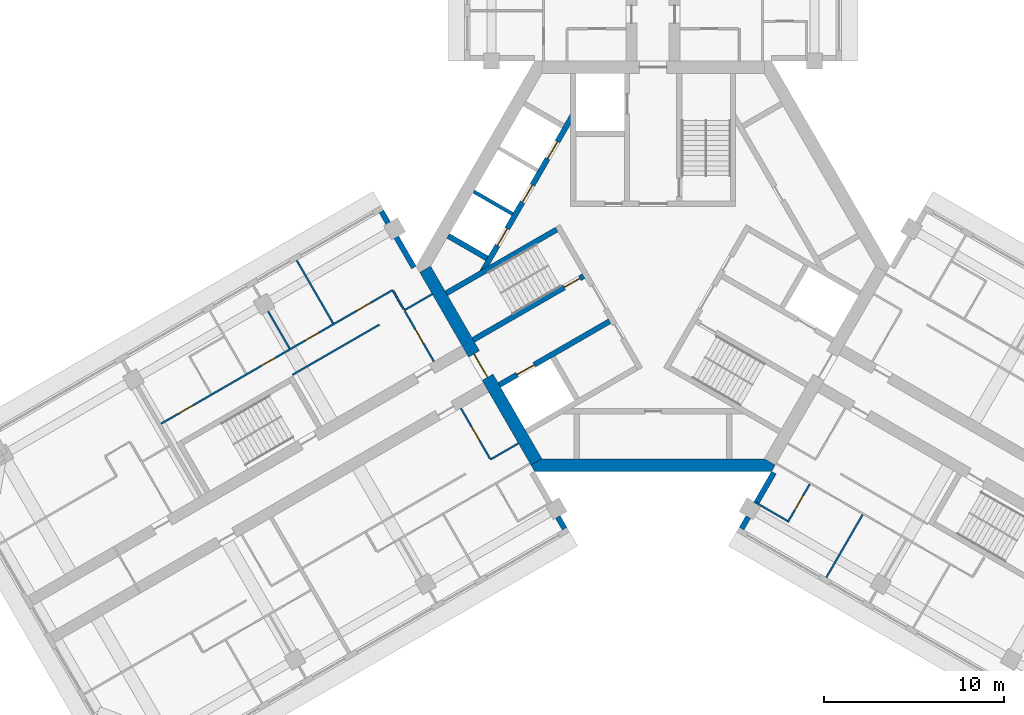
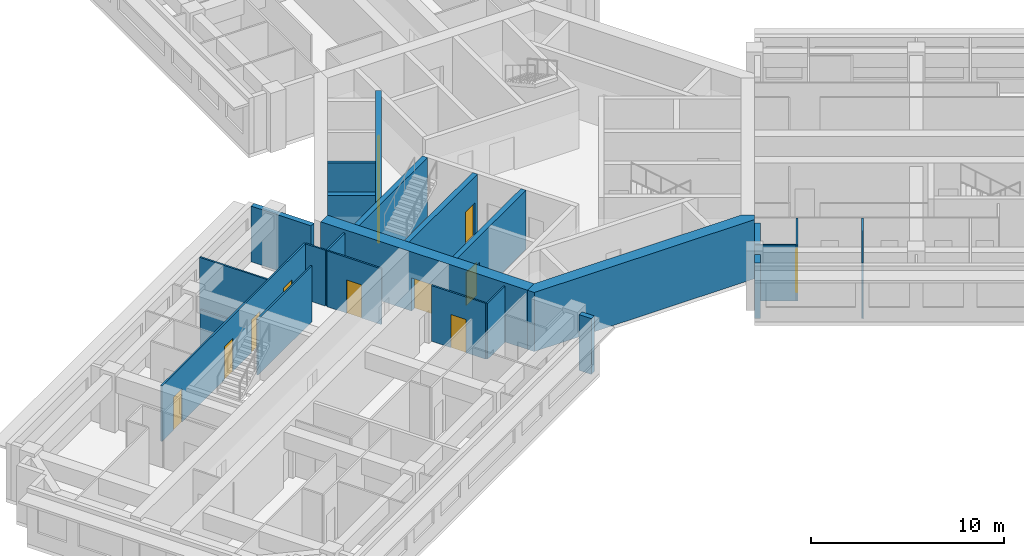
# One storey, part 4 of 11: 24 walls, 13 doors, 13 openings.
"""IFC4 building model written with IfcOpenShell, lengths in metres."""

from ifc_helpers import new_model, si_unit, direction, frame, frame_2d, origin, place, context, subcontext, project, spatial, polyline, rectangle, outline, extrude, material, layer, layer_set, type_object, element, fill, save


model = new_model("IFC4")

# Units and contexts
model_context = context("Model", 3, precision=1e-05, world=origin(), true_north=direction((0.0, 1.0)))
body_context = subcontext(model_context, "Body", "Model", "MODEL_VIEW")
ifc_project = project(units=[si_unit("LENGTHUNIT", "METRE"), si_unit("AREAUNIT", "SQUARE_METRE"), si_unit("VOLUMEUNIT", "CUBIC_METRE"), si_unit("PLANEANGLEUNIT", "RADIAN"), si_unit("MASSUNIT", "GRAM", prefix="KILO")], contexts=[model_context])

# Site, building, storey
site_placement = place(None, origin())
site = spatial("IfcSite", under=ifc_project, at=site_placement, CompositionType="ELEMENT")
building_placement = place(site_placement, origin())
building = spatial("IfcBuilding", under=site, at=building_placement, Name="Impinga Residences", CompositionType="ELEMENT")
storey_placement = place(building_placement, frame((0.0, 0.0, 203.5)))
storey = spatial("IfcBuildingStorey", under=building, at=storey_placement, Name="L50", CompositionType="ELEMENT", Elevation=203.5)

# Walls
ifc_material_1 = material(Name="Terracotta rainscreen on blockwork", Category="masonry")
ifc_layer_1 = layer(ifc_material_1, 0.300048828125)
ifc_layer_set_1 = layer_set([ifc_layer_1], Name="EW1 external wall, terracotta rainscreen on blockwork 300")
wall_type_1 = type_object("IfcWallType", Name="EW1 external wall, terracotta rainscreen on blockwork 300", PredefinedType="SOLIDWALL", material=ifc_layer_set_1)
wall_1_placement = place(storey_placement, frame((-15.1298828125, 3.042724609375, 0.0), z_axis=(0.0, 0.0, 1.0), x_axis=(0.500012057535, -0.866018442252, 0.0)))
element("IfcWall", 1, at=wall_1_placement, inside=storey, type_object=wall_type_1, Name="External wall EW1 L50", PredefinedType="SOLIDWALL", context=body_context, shape_type="SweptSolid", body=[
    extrude(rectangle(XDim=3.60009765625, YDim=0.300048828125, at=frame_2d((1.800048828125, 0.0))), origin(), (0.0, 0.0, 1.0), 3.530029296875),
])
wall_2_placement = place(storey_placement, frame((4.929931640625, -14.624267578125, 0.0), z_axis=(0.0, 0.0, 1.0), x_axis=(0.499919672301, 0.866071776036, 0.0)))
element("IfcWall", 2, at=wall_2_placement, inside=storey, type_object=wall_type_1, Name="External wall EW1 L50", PredefinedType="SOLIDWALL", context=body_context, shape_type="SweptSolid", body=[
    extrude(rectangle(XDim=0.75, YDim=0.300048828125, at=frame_2d((0.375, 0.0))), origin(), (0.0, 0.0, 1.0), 3.530029296875),
])
wall_3_placement = place(storey_placement, frame((5.7548828125, -13.1953125, 0.0), z_axis=(0.0, 0.0, 1.0), x_axis=(0.500043961785, 0.866000020948, 0.0)))
element("IfcWall", 3, at=wall_3_placement, inside=storey, type_object=wall_type_1, Name="External wall EW1 L50", PredefinedType="SOLIDWALL", context=body_context, shape_type="SweptSolid", body=[
    extrude(rectangle(XDim=1.949951171875, YDim=0.300048828125, at=frame_2d((0.97509765625, 0.0))), origin(), (0.0, 0.0, 1.0), 3.530029296875),
])
wall_4_placement = place(storey_placement, frame((-5.304931640625, -13.974609375, 0.0), z_axis=(0.0, 0.0, 1.0), x_axis=(0.499919672301, -0.866071776036, 0.0)))
element("IfcWall", 4, at=wall_4_placement, inside=storey, type_object=wall_type_1, Name="External wall EW1 L50", PredefinedType="SOLIDWALL", context=body_context, shape_type="SweptSolid", body=[
    extrude(rectangle(XDim=0.75, YDim=0.300048828125, at=frame_2d((0.375, 0.0))), origin(), (0.0, 0.0, 1.0), 3.530029296875),
])
ifc_material_2 = material(Name="Gypsum board on steel studs", Category="steel")
ifc_layer_2 = layer(ifc_material_2, 0.10009765625)
ifc_layer_set_2 = layer_set([ifc_layer_2], Name="Gypsum board on steel studs")
wall_type_2 = type_object("IfcWallType", Name="IP1 partition 100", PredefinedType="PARTITIONING", material=ifc_layer_set_2)
wall_5_placement = place(storey_placement, frame((-7.5, -9.872802734375, 0.0), z_axis=(0.0, 0.0, 1.0), x_axis=(-0.866047807691, -0.499961193289, 0.0)))
element("IfcWall", 5, at=wall_5_placement, inside=storey, type_object=wall_type_2, Name="Partition L50-WA1:DIV0", PredefinedType="PARTITIONING", context=body_context, shape_type="SweptSolid", body=[
    extrude(rectangle(XDim=1.800048828125, YDim=0.10009765625, at=frame_2d((0.89990234375, 0.0))), origin(), (0.0, 0.0, 1.0), 3.530029296875),
])

# Wall, opening, door
wall_6_placement = place(storey_placement, frame((-10.708740234375, -7.914794921875, 0.0), z_axis=(0.0, 0.0, 1.0), x_axis=(0.499984717929, -0.866034226713, 0.0)))
wall_6 = element("IfcWall", 6, at=wall_6_placement, inside=storey, type_object=wall_type_2, Name="Partition L50-WA1:IB1", PredefinedType="PARTITIONING", context=body_context, shape_type="SweptSolid", body=[
    extrude(rectangle(XDim=3.25, YDim=0.10009765625, at=frame_2d((1.625, 0.0))), origin(), (0.0, 0.0, 1.0), 3.530029296875),
])
opening_1_placement = place(wall_6_placement, frame((1.175048828125, 0.0, 0.0)))
opening_1 = element("IfcOpeningElement", 7, at=opening_1_placement, cuts=wall_6, Name="Opening D2", PredefinedType="OPENING", context=body_context, shape_type="SweptSolid", body=[
    extrude(rectangle(XDim=0.89990234375, YDim=2.10009765625, at=frame_2d((0.449951171875, 1.050048828125))), frame((0.0, 0.06005859375, 0.0), z_axis=(0.0, -1.0, 0.0), x_axis=(1.0, 0.0, 0.0)), (0.0, 0.0, 1.0), 0.1201171875),
])
ifc_material_3 = material(Name="Timber door set", Category="wood")
door_type_1 = type_object("IfcDoorType", Name="D2 internal door 900x2100", OperationType="SINGLE_SWING_LEFT", PredefinedType="DOOR", material=ifc_material_3)
door_1_placement = place(opening_1_placement, origin())
door_1 = element("IfcDoor", 8, at=door_1_placement, inside=storey, type_object=door_type_1, Name="Apartment L50-WA1 bathroom door", OperationType="SINGLE_SWING_LEFT", OverallHeight=2.10009765625, OverallWidth=0.89990234375, PredefinedType="DOOR", context=body_context, shape_type="SweptSolid", body=[
    extrude(rectangle(XDim=0.89990234375, YDim=2.10009765625, at=frame_2d((0.449951171875, 1.050048828125))), frame((0.0, 0.02490234375, 0.0), z_axis=(0.0, -1.0, 0.0), x_axis=(1.0, 0.0, 0.0)), (0.0, 0.0, 1.0), 0.050048828125),
])
fill(opening_1, door_1)

# Walls
wall_7_placement = place(storey_placement, frame((-12.300048828125, -1.558837890625, 0.0), z_axis=(0.0, 0.0, 1.0), x_axis=(-0.866047807691, -0.499961193289, 0.0)))
element("IfcWall", 9, at=wall_7_placement, inside=storey, type_object=wall_type_2, Name="Partition L50-WF1:DIV0", PredefinedType="PARTITIONING", context=body_context, shape_type="SweptSolid", body=[
    extrude(rectangle(XDim=1.800048828125, YDim=0.10009765625, at=frame_2d((0.89990234375, 0.0))), origin(), (0.0, 0.0, 1.0), 3.530029296875),
])
wall_8_placement = place(storey_placement, frame((-15.244384765625, -3.2587890625, 0.0), z_axis=(0.0, 0.0, 1.0), x_axis=(-0.866026594901, -0.49999793692, 0.0)))
element("IfcWall", 10, at=wall_8_placement, inside=storey, type_object=wall_type_2, Name="Partition L50-WF1:DIV1", PredefinedType="PARTITIONING", context=body_context, shape_type="SweptSolid", body=[
    extrude(rectangle(XDim=5.60009765625, YDim=0.10009765625, at=frame_2d((2.800048828125, 0.0))), origin(), (0.0, 0.0, 1.0), 3.530029296875),
])

# Wall, openings, doors
wall_9_placement = place(storey_placement, frame((-14.5087890625, -1.3330078125, 0.0), z_axis=(0.0, 0.0, 1.0), x_axis=(-0.866027327438, -0.499996668119, 0.0)))
wall_9 = element("IfcWall", 11, at=wall_9_placement, inside=storey, type_object=wall_type_2, Name="Partition L50-WF1:STRIP", PredefinedType="PARTITIONING", context=body_context, shape_type="SweptSolid", body=[
    extrude(rectangle(XDim=14.89990234375, YDim=0.10009765625, at=frame_2d((7.449951171875, 0.0))), origin(), (0.0, 0.0, 1.0), 3.530029296875),
])
opening_2_placement = place(wall_9_placement, frame((1.425048828125, 0.0, 0.0)))
opening_2 = element("IfcOpeningElement", 12, at=opening_2_placement, cuts=wall_9, Name="Opening D2", PredefinedType="OPENING", context=body_context, shape_type="SweptSolid", body=[
    extrude(rectangle(XDim=0.89990234375, YDim=2.10009765625, at=frame_2d((0.449951171875, 1.050048828125))), frame((0.0, 0.06005859375, 0.0), z_axis=(0.0, -1.0, 0.0), x_axis=(1.0, 0.0, 0.0)), (0.0, 0.0, 1.0), 0.1201171875),
])
opening_3_placement = place(wall_9_placement, frame((4.75, 0.0, 0.0)))
opening_3 = element("IfcOpeningElement", 13, at=opening_3_placement, cuts=wall_9, Name="Opening D2", PredefinedType="OPENING", context=body_context, shape_type="SweptSolid", body=[
    extrude(rectangle(XDim=0.89990234375, YDim=2.10009765625, at=frame_2d((0.449951171875, 1.050048828125))), frame((0.0, 0.06005859375, 0.0), z_axis=(0.0, -1.0, 0.0), x_axis=(1.0, 0.0, 0.0)), (0.0, 0.0, 1.0), 0.1201171875),
])
opening_4_placement = place(wall_9_placement, frame((7.550048828125, 0.0, 0.0)))
opening_4 = element("IfcOpeningElement", 14, at=opening_4_placement, cuts=wall_9, Name="Opening D2", PredefinedType="OPENING", context=body_context, shape_type="SweptSolid", body=[
    extrude(rectangle(XDim=0.89990234375, YDim=2.10009765625, at=frame_2d((0.449951171875, 1.050048828125))), frame((0.0, 0.06005859375, 0.0), z_axis=(0.0, -1.0, 0.0), x_axis=(1.0, 0.0, 0.0)), (0.0, 0.0, 1.0), 0.1201171875),
])
opening_5_placement = place(wall_9_placement, frame((12.85009765625, 0.0, 0.0)))
opening_5 = element("IfcOpeningElement", 15, at=opening_5_placement, cuts=wall_9, Name="Opening D2", PredefinedType="OPENING", context=body_context, shape_type="SweptSolid", body=[
    extrude(rectangle(XDim=0.89990234375, YDim=2.10009765625, at=frame_2d((0.449951171875, 1.050048828125))), frame((0.0, 0.06005859375, 0.0), z_axis=(0.0, -1.0, 0.0), x_axis=(1.0, 0.0, 0.0)), (0.0, 0.0, 1.0), 0.1201171875),
])
door_2_placement = place(opening_2_placement, origin())
door_2 = element("IfcDoor", 16, at=door_2_placement, inside=storey, type_object=door_type_1, Name="Apartment L50-WF1 room door", OperationType="SINGLE_SWING_LEFT", OverallHeight=2.10009765625, OverallWidth=0.89990234375, PredefinedType="DOOR", context=body_context, shape_type="SweptSolid", body=[
    extrude(rectangle(XDim=0.89990234375, YDim=2.10009765625, at=frame_2d((0.449951171875, 1.050048828125))), frame((0.0, 0.02490234375, 0.0), z_axis=(0.0, -1.0, 0.0), x_axis=(1.0, 0.0, 0.0)), (0.0, 0.0, 1.0), 0.050048828125),
])
fill(opening_2, door_2)
door_3_placement = place(opening_3_placement, origin())
door_3 = element("IfcDoor", 17, at=door_3_placement, inside=storey, type_object=door_type_1, Name="Apartment L50-WF1 room door", OperationType="SINGLE_SWING_LEFT", OverallHeight=2.10009765625, OverallWidth=0.89990234375, PredefinedType="DOOR", context=body_context, shape_type="SweptSolid", body=[
    extrude(rectangle(XDim=0.89990234375, YDim=2.10009765625, at=frame_2d((0.449951171875, 1.050048828125))), frame((0.0, 0.02490234375, 0.0), z_axis=(0.0, -1.0, 0.0), x_axis=(1.0, 0.0, 0.0)), (0.0, 0.0, 1.0), 0.050048828125),
])
fill(opening_3, door_3)
door_4_placement = place(opening_4_placement, origin())
door_4 = element("IfcDoor", 18, at=door_4_placement, inside=storey, type_object=door_type_1, Name="Apartment L50-WF1 room door", OperationType="SINGLE_SWING_RIGHT", OverallHeight=2.10009765625, OverallWidth=0.89990234375, PredefinedType="DOOR", context=body_context, shape_type="SweptSolid", body=[
    extrude(rectangle(XDim=0.89990234375, YDim=2.10009765625, at=frame_2d((0.449951171875, 1.050048828125))), frame((0.0, 0.02490234375, 0.0), z_axis=(0.0, -1.0, 0.0), x_axis=(1.0, 0.0, 0.0)), (0.0, 0.0, 1.0), 0.050048828125),
])
fill(opening_4, door_4)
door_5_placement = place(opening_5_placement, origin())
door_5 = element("IfcDoor", 19, at=door_5_placement, inside=storey, type_object=door_type_1, Name="Apartment L50-WF1 room door", OperationType="SINGLE_SWING_RIGHT", OverallHeight=2.10009765625, OverallWidth=0.89990234375, PredefinedType="DOOR", context=body_context, shape_type="SweptSolid", body=[
    extrude(rectangle(XDim=0.89990234375, YDim=2.10009765625, at=frame_2d((0.449951171875, 1.050048828125))), frame((0.0, 0.02490234375, 0.0), z_axis=(0.0, -1.0, 0.0), x_axis=(1.0, 0.0, 0.0)), (0.0, 0.0, 1.0), 0.050048828125),
])
fill(opening_5, door_5)

# Wall
wall_10_placement = place(storey_placement, frame((-13.8837890625, -2.41552734375, 0.0), z_axis=(0.0, 0.0, 1.0), x_axis=(-0.500033551112, 0.866006032174, 0.0)))
element("IfcWall", 20, at=wall_10_placement, inside=storey, type_object=wall_type_2, Name="Partition L50-WF1:SE0", PredefinedType="PARTITIONING", context=body_context, shape_type="SweptSolid", body=[
    extrude(rectangle(XDim=1.2001953125, YDim=0.10009765625, at=frame_2d((0.60009765625, 0.0))), origin(), (0.0, 0.0, 1.0), 3.530029296875),
])

# Wall, opening, door
wall_11_placement = place(storey_placement, frame((-12.208740234375, -5.316650390625, 0.0), z_axis=(0.0, 0.0, 1.0), x_axis=(-0.500017246033, 0.866015446554, 0.0)))
wall_11 = element("IfcWall", 21, at=wall_11_placement, inside=storey, type_object=wall_type_2, Name="Partition L50-WF1:IB1", PredefinedType="PARTITIONING", context=body_context, shape_type="SweptSolid", body=[
    extrude(rectangle(XDim=3.25, YDim=0.10009765625, at=frame_2d((1.625, 0.0))), origin(), (0.0, 0.0, 1.0), 3.530029296875),
])
opening_6_placement = place(wall_11_placement, frame((1.175048828125, 0.0, 0.0)))
opening_6 = element("IfcOpeningElement", 22, at=opening_6_placement, cuts=wall_11, Name="Opening D2", PredefinedType="OPENING", context=body_context, shape_type="SweptSolid", body=[
    extrude(rectangle(XDim=0.89990234375, YDim=2.10009765625, at=frame_2d((0.449951171875, 1.050048828125))), frame((0.0, 0.06005859375, 0.0), z_axis=(0.0, -1.0, 0.0), x_axis=(1.0, 0.0, 0.0)), (0.0, 0.0, 1.0), 0.1201171875),
])
door_6_placement = place(opening_6_placement, origin())
door_6 = element("IfcDoor", 23, at=door_6_placement, inside=storey, type_object=door_type_1, Name="Apartment L50-WF1 bathroom door", OperationType="SINGLE_SWING_LEFT", OverallHeight=2.10009765625, OverallWidth=0.89990234375, PredefinedType="DOOR", context=body_context, shape_type="SweptSolid", body=[
    extrude(rectangle(XDim=0.89990234375, YDim=2.10009765625, at=frame_2d((0.449951171875, 1.050048828125))), frame((0.0, 0.02490234375, 0.0), z_axis=(0.0, -1.0, 0.0), x_axis=(1.0, 0.0, 0.0)), (0.0, 0.0, 1.0), 0.050048828125),
])
fill(opening_6, door_6)

# Walls
wall_12_placement = place(storey_placement, frame((-17.82470703125, -3.189697265625, 0.0), z_axis=(0.0, 0.0, 1.0), x_axis=(-0.500035537042, 0.866004885491, 0.0)))
element("IfcWall", 24, at=wall_12_placement, inside=storey, type_object=wall_type_2, Name="Partition L50-WF1:OB1", PredefinedType="PARTITIONING", context=body_context, shape_type="SweptSolid", body=[
    extrude(rectangle(XDim=4.050048828125, YDim=0.10009765625, at=frame_2d((2.02490234375, 0.0))), origin(), (0.0, 0.0, 1.0), 3.530029296875),
])
wall_13_placement = place(storey_placement, frame((-20.24951171875, -4.589599609375, 0.0), z_axis=(0.0, 0.0, 1.0), x_axis=(-0.500077600433, 0.865980596518, 0.0)))
element("IfcWall", 25, at=wall_13_placement, inside=storey, type_object=wall_type_2, Name="Partition L50-WF1:OB2", PredefinedType="PARTITIONING", context=body_context, shape_type="SweptSolid", body=[
    extrude(rectangle(XDim=2.39990234375, YDim=0.10009765625, at=frame_2d((1.199951171875, 0.0))), origin(), (0.0, 0.0, 1.0), 2.47998046875),
])
wall_14_placement = place(storey_placement, frame((11.6748046875, -13.841796875, 0.0), z_axis=(0.0, 0.0, 1.0), x_axis=(-0.500035537042, -0.866004885491, 0.0)))
element("IfcWall", 26, at=wall_14_placement, inside=storey, type_object=wall_type_2, Name="Partition L50-EF1:OB1", PredefinedType="PARTITIONING", context=body_context, shape_type="SweptSolid", body=[
    extrude(rectangle(XDim=4.050048828125, YDim=0.10009765625, at=frame_2d((2.02490234375, 0.0))), origin(), (0.0, 0.0, 1.0), 3.530029296875),
])

# Wall, opening, door
wall_15_placement = place(storey_placement, frame((8.730224609375, -12.141845703125, 0.0), z_axis=(0.0, 0.0, 1.0), x_axis=(-0.499943856944, -0.866057815567, 0.0)))
wall_15 = element("IfcWall", 27, at=wall_15_placement, inside=storey, type_object=wall_type_2, Name="Partition L50-EF1:EN1", PredefinedType="PARTITIONING", context=body_context, shape_type="SweptSolid", body=[
    extrude(rectangle(XDim=2.449951171875, YDim=0.10009765625, at=frame_2d((1.22509765625, 0.0))), origin(), (0.0, 0.0, 1.0), 3.530029296875),
])
opening_7_placement = place(wall_15_placement, frame((0.75, 0.0, 0.0)))
opening_7 = element("IfcOpeningElement", 28, at=opening_7_placement, cuts=wall_15, Name="Opening D2", PredefinedType="OPENING", context=body_context, shape_type="SweptSolid", body=[
    extrude(rectangle(XDim=0.89990234375, YDim=2.10009765625, at=frame_2d((0.449951171875, 1.050048828125))), frame((0.0, 0.06005859375, 0.0), z_axis=(0.0, -1.0, 0.0), x_axis=(1.0, 0.0, 0.0)), (0.0, 0.0, 1.0), 0.1201171875),
])
door_7_placement = place(opening_7_placement, origin())
door_7 = element("IfcDoor", 29, at=door_7_placement, inside=storey, type_object=door_type_1, Name="Apartment L50-EF1 en-suite door", OperationType="SINGLE_SWING_LEFT", OverallHeight=2.10009765625, OverallWidth=0.89990234375, PredefinedType="DOOR", context=body_context, shape_type="SweptSolid", body=[
    extrude(rectangle(XDim=0.89990234375, YDim=2.10009765625, at=frame_2d((0.449951171875, 1.050048828125))), frame((0.0, 0.02490234375, 0.0), z_axis=(0.0, -1.0, 0.0), x_axis=(1.0, 0.0, 0.0)), (0.0, 0.0, 1.0), 0.050048828125),
])
fill(opening_7, door_7)

# Wall
wall_16_placement = place(storey_placement, frame((5.625, -13.120361328125, 0.0), z_axis=(0.0, 0.0, 1.0), x_axis=(0.866047553582, -0.499961633463, 0.0)))
element("IfcWall", 30, at=wall_16_placement, inside=storey, type_object=wall_type_2, Name="Partition L50-EF1:EN2", PredefinedType="PARTITIONING", context=body_context, shape_type="SweptSolid", body=[
    extrude(rectangle(XDim=2.150146484375, YDim=0.10009765625, at=frame_2d((1.0751953125, 0.0))), origin(), (0.0, 0.0, 1.0), 3.530029296875),
])

# Wall, opening, door
ifc_material_4 = material(Name="Concrete C60/75", Category="concrete")
ifc_layer_3 = layer(ifc_material_4, 0.699951171875)
ifc_layer_set_3 = layer_set([ifc_layer_3], Name="Concrete C60/75")
wall_type_3 = type_object("IfcWallType", Name="SW3 core wall 700", PredefinedType="SHEAR", material=ifc_layer_set_3)
wall_17_placement = place(storey_placement, frame((-6.4990234375, -10.906494140625, 0.0), z_axis=(0.0, 0.0, 1.0), x_axis=(-0.499999875397, 0.866025475724, 0.0)))
wall_17 = element("IfcWall", 31, at=wall_17_placement, inside=storey, type_object=wall_type_3, Name="Core wall SW3 W:FACE L50", PredefinedType="SHEAR", context=body_context, shape_type="SweptSolid", body=[
    extrude(rectangle(XDim=12.3916015625, YDim=0.699951171875, at=frame_2d((6.19580078125, 0.0))), origin(), (0.0, 0.0, 1.0), 3.75),
])
opening_8_placement = place(wall_17_placement, frame((5.44580078125, 0.0, 0.0)))
opening_8 = element("IfcOpeningElement", 32, at=opening_8_placement, cuts=wall_17, Name="Opening D4", PredefinedType="OPENING", context=body_context, shape_type="SweptSolid", body=[
    extrude(rectangle(XDim=1.5, YDim=2.10009765625, at=frame_2d((0.75, 1.050048828125))), frame((0.0, 0.35986328125, 0.0), z_axis=(0.0, -1.0, 0.0), x_axis=(1.0, 0.0, 0.0)), (0.0, 0.0, 1.0), 0.719970703125),
])
door_type_2 = type_object("IfcDoorType", Name="D4 lobby door pair 1500x2100", OperationType="DOUBLE_DOOR_DOUBLE_SWING", PredefinedType="DOOR", material=ifc_material_3)
door_8_placement = place(opening_8_placement, origin())
door_8 = element("IfcDoor", 33, at=door_8_placement, inside=storey, type_object=door_type_2, Name="Lobby door W", OperationType="DOUBLE_DOOR_DOUBLE_SWING", OverallHeight=2.10009765625, OverallWidth=1.5, PredefinedType="DOOR", context=body_context, shape_type="SweptSolid", body=[
    extrude(rectangle(XDim=1.5, YDim=2.10009765625, at=frame_2d((0.75, 1.050048828125))), frame((0.0, 0.02490234375, 0.0), z_axis=(0.0, -1.0, 0.0), x_axis=(1.0, 0.0, 0.0)), (0.0, 0.0, 1.0), 0.050048828125),
])
fill(opening_8, door_8)

# Wall
wall_18_placement = place(storey_placement, origin())
element("IfcWall", 34, at=wall_18_placement, inside=storey, type_object=wall_type_3, Name="Core wall SW3 N:EXPOSED L50", PredefinedType="SHEAR", context=body_context, shape_type="SweptSolid", body=[
    extrude(outline(polyline([(-6.60009765625, -11.431640625), (6.60009765625, -11.431640625), (6.802001953125, -11.08154296875), (6.19580078125, -10.7314453125), (-6.19580078125, -10.7314453125), (-6.802001953125, -11.08154296875), (-6.60009765625, -11.431640625)])), origin(), (0.0, 0.0, 1.0), 3.75),
])

# Wall, opening, door
ifc_material_5 = material(Name="Concrete C70/85", Category="concrete")
ifc_layer_4 = layer(ifc_material_5, 0.300048828125)
ifc_layer_set_4 = layer_set([ifc_layer_4], Name="Concrete C70/85")
wall_type_4 = type_object("IfcWallType", Name="SW5 core inner wall, stairs, shafts and lobbies 300", PredefinedType="SHEAR", material=ifc_layer_set_4)
wall_19_placement = place(storey_placement, frame((-3.86865234375, -0.559326171875, 0.0), z_axis=(0.0, 0.0, 1.0), x_axis=(-0.866025859768, -0.499999210213, 0.0)))
wall_19 = element("IfcWall", 35, at=wall_19_placement, inside=storey, type_object=wall_type_4, Name="Core wall SW5 W:ST-IN L50", PredefinedType="SHEAR", context=body_context, shape_type="SweptSolid", body=[
    extrude(rectangle(XDim=7.1015625, YDim=0.300048828125, at=frame_2d((3.55078125, 0.0))), origin(), (0.0, 0.0, 1.0), 3.75),
])
opening_9_placement = place(wall_19_placement, frame((0.25, 0.0, 0.0)))
opening_9 = element("IfcOpeningElement", 36, at=opening_9_placement, cuts=wall_19, Name="Opening D5", PredefinedType="OPENING", context=body_context, shape_type="SweptSolid", body=[
    extrude(rectangle(XDim=1.0, YDim=2.10009765625, at=frame_2d((0.5, 1.050048828125))), frame((0.0, 0.159912109375, 0.0), z_axis=(0.0, -1.0, 0.0), x_axis=(1.0, 0.0, 0.0)), (0.0, 0.0, 1.0), 0.320068359375),
])
door_type_3 = type_object("IfcDoorType", Name="D5 stair door 1000x2100", OperationType="SINGLE_SWING_LEFT", PredefinedType="DOOR", material=ifc_material_3)
door_9_placement = place(opening_9_placement, origin())
door_9 = element("IfcDoor", 37, at=door_9_placement, inside=storey, type_object=door_type_3, Name="Stair door W", OperationType="SINGLE_SWING_LEFT", OverallHeight=2.10009765625, OverallWidth=1.0, PredefinedType="DOOR", context=body_context, shape_type="SweptSolid", body=[
    extrude(rectangle(XDim=1.0, YDim=2.10009765625, at=frame_2d((0.5, 1.050048828125))), frame((0.0, 0.02490234375, 0.0), z_axis=(0.0, -1.0, 0.0), x_axis=(1.0, 0.0, 0.0)), (0.0, 0.0, 1.0), 0.050048828125),
])
fill(opening_9, door_9)

# Wall
wall_20_placement = place(storey_placement, frame((-5.36865234375, 2.038818359375, 0.0), z_axis=(0.0, 0.0, 1.0), x_axis=(-0.866025859768, -0.499999210213, 0.0)))
element("IfcWall", 38, at=wall_20_placement, inside=storey, type_object=wall_type_4, Name="Core wall SW5 W:ST-OUT L50", PredefinedType="SHEAR", context=body_context, shape_type="SweptSolid", body=[
    extrude(rectangle(XDim=7.1015625, YDim=0.300048828125, at=frame_2d((3.55078125, 0.0))), origin(), (0.0, 0.0, 1.0), 3.75),
])

# Wall, opening, door
wall_21_placement = place(storey_placement, frame((-2.418701171875, -3.07080078125, 0.0), z_axis=(0.0, 0.0, 1.0), x_axis=(-0.866025859768, -0.499999210213, 0.0)))
wall_21 = element("IfcWall", 39, at=wall_21_placement, inside=storey, type_object=wall_type_4, Name="Core wall SW5 W:FF-IN L50", PredefinedType="SHEAR", context=body_context, shape_type="SweptSolid", body=[
    extrude(rectangle(XDim=7.1015625, YDim=0.300048828125, at=frame_2d((3.55078125, 0.0))), origin(), (0.0, 0.0, 1.0), 3.75),
])
opening_10_placement = place(wall_21_placement, frame((4.85009765625, 0.0, 0.0)))
opening_10 = element("IfcOpeningElement", 40, at=opening_10_placement, cuts=wall_21, Name="Opening LD2", PredefinedType="OPENING", context=body_context, shape_type="SweptSolid", body=[
    extrude(rectangle(XDim=1.10009765625, YDim=2.10009765625, at=frame_2d((0.550048828125, 1.050048828125))), frame((0.0, 0.159912109375, 0.0), z_axis=(0.0, -1.0, 0.0), x_axis=(1.0, 0.0, 0.0)), (0.0, 0.0, 1.0), 0.320068359375),
])
ifc_material_6 = material(Name="Steel lift landing door", Category="steel")
door_type_4 = type_object("IfcDoorType", Name="LD2 firefighting lift landing door 1100x2100", OperationType="DOUBLE_DOOR_SLIDING", PredefinedType="DOOR", material=ifc_material_6)
door_10_placement = place(opening_10_placement, origin())
door_10 = element("IfcDoor", 41, at=door_10_placement, inside=storey, type_object=door_type_4, Name="Firefighting lift landing door F2", OperationType="DOUBLE_DOOR_SLIDING", OverallHeight=2.10009765625, OverallWidth=1.10009765625, PredefinedType="DOOR", context=body_context, shape_type="SweptSolid", body=[
    extrude(rectangle(XDim=1.10009765625, YDim=2.10009765625, at=frame_2d((0.550048828125, 1.050048828125))), frame((0.0, 0.02490234375, 0.0), z_axis=(0.0, -1.0, 0.0), x_axis=(1.0, 0.0, 0.0)), (0.0, 0.0, 1.0), 0.050048828125),
])
fill(opening_10, door_10)

# Wall, openings, doors
wall_22_placement = place(storey_placement, frame((-9.547607421875, -0.3740234375, 0.0), z_axis=(0.0, 0.0, 1.0), x_axis=(0.500002290144, 0.866024081565, 0.0)))
wall_22 = element("IfcWall", 42, at=wall_22_placement, inside=storey, type_object=wall_type_4, Name="Core wall SW5 E:BANK-FRONT L50", PredefinedType="SHEAR", context=body_context, shape_type="SweptSolid", body=[
    extrude(rectangle(XDim=10.1953125, YDim=0.300048828125, at=frame_2d((5.09765625, 0.0))), origin(), (0.0, 0.0, 1.0), 3.75),
])
opening_11_placement = place(wall_22_placement, frame((1.74755859375, 0.0, 0.0)))
opening_11 = element("IfcOpeningElement", 43, at=opening_11_placement, cuts=wall_22, Name="Opening LD1", PredefinedType="OPENING", context=body_context, shape_type="SweptSolid", body=[
    extrude(rectangle(XDim=1.10009765625, YDim=2.10009765625, at=frame_2d((0.550048828125, 1.050048828125))), frame((0.0, 0.159912109375, 0.0), z_axis=(0.0, -1.0, 0.0), x_axis=(1.0, 0.0, 0.0)), (0.0, 0.0, 1.0), 0.320068359375),
])
opening_12_placement = place(wall_22_placement, frame((4.547607421875, 0.0, 0.0)))
opening_12 = element("IfcOpeningElement", 44, at=opening_12_placement, cuts=wall_22, Name="Opening LD1", PredefinedType="OPENING", context=body_context, shape_type="SweptSolid", body=[
    extrude(rectangle(XDim=1.10009765625, YDim=2.10009765625, at=frame_2d((0.550048828125, 1.050048828125))), frame((0.0, 0.159912109375, 0.0), z_axis=(0.0, -1.0, 0.0), x_axis=(1.0, 0.0, 0.0)), (0.0, 0.0, 1.0), 0.320068359375),
])
opening_13_placement = place(wall_22_placement, frame((7.34765625, 0.0, 0.0)))
opening_13 = element("IfcOpeningElement", 45, at=opening_13_placement, cuts=wall_22, Name="Opening LD1", PredefinedType="OPENING", context=body_context, shape_type="SweptSolid", body=[
    extrude(rectangle(XDim=1.10009765625, YDim=2.10009765625, at=frame_2d((0.550048828125, 1.050048828125))), frame((0.0, 0.159912109375, 0.0), z_axis=(0.0, -1.0, 0.0), x_axis=(1.0, 0.0, 0.0)), (0.0, 0.0, 1.0), 0.320068359375),
])
door_type_5 = type_object("IfcDoorType", Name="LD1 passenger lift landing door 1100x2100", OperationType="DOUBLE_DOOR_SLIDING", PredefinedType="DOOR", material=ifc_material_6)
door_11_placement = place(opening_11_placement, origin())
door_11 = element("IfcDoor", 46, at=door_11_placement, inside=storey, type_object=door_type_5, Name="Lift landing door P7", OperationType="DOUBLE_DOOR_SLIDING", OverallHeight=2.10009765625, OverallWidth=1.10009765625, PredefinedType="DOOR", context=body_context, shape_type="SweptSolid", body=[
    extrude(rectangle(XDim=1.10009765625, YDim=2.10009765625, at=frame_2d((0.550048828125, 1.050048828125))), frame((0.0, 0.02490234375, 0.0), z_axis=(0.0, -1.0, 0.0), x_axis=(1.0, 0.0, 0.0)), (0.0, 0.0, 1.0), 0.050048828125),
])
fill(opening_11, door_11)
door_12_placement = place(opening_12_placement, origin())
door_12 = element("IfcDoor", 47, at=door_12_placement, inside=storey, type_object=door_type_5, Name="Lift landing door P8", OperationType="DOUBLE_DOOR_SLIDING", OverallHeight=2.10009765625, OverallWidth=1.10009765625, PredefinedType="DOOR", context=body_context, shape_type="SweptSolid", body=[
    extrude(rectangle(XDim=1.10009765625, YDim=2.10009765625, at=frame_2d((0.550048828125, 1.050048828125))), frame((0.0, 0.02490234375, 0.0), z_axis=(0.0, -1.0, 0.0), x_axis=(1.0, 0.0, 0.0)), (0.0, 0.0, 1.0), 0.050048828125),
])
fill(opening_12, door_12)
door_13_placement = place(opening_13_placement, origin())
door_13 = element("IfcDoor", 48, at=door_13_placement, inside=storey, type_object=door_type_5, Name="Lift landing door P9", OperationType="DOUBLE_DOOR_SLIDING", OverallHeight=2.10009765625, OverallWidth=1.10009765625, PredefinedType="DOOR", context=body_context, shape_type="SweptSolid", body=[
    extrude(rectangle(XDim=1.10009765625, YDim=2.10009765625, at=frame_2d((0.550048828125, 1.050048828125))), frame((0.0, 0.02490234375, 0.0), z_axis=(0.0, -1.0, 0.0), x_axis=(1.0, 0.0, 0.0)), (0.0, 0.0, 1.0), 0.050048828125),
])
fill(opening_13, door_13)

# Walls
wall_23_placement = place(storey_placement, frame((-9.253662109375, 0.43505859375, 0.0), z_axis=(0.0, 0.0, 1.0), x_axis=(-0.866022959057, 0.500004234368, 0.0)))
element("IfcWall", 49, at=wall_23_placement, inside=storey, type_object=wall_type_4, Name="Core wall SW5 E:BANK-L L50", PredefinedType="SHEAR", context=body_context, shape_type="SweptSolid", body=[
    extrude(rectangle(XDim=2.5, YDim=0.300048828125, at=frame_2d((1.25, 0.0))), origin(), (0.0, 0.0, 1.0), 3.75),
])
ifc_layer_5 = layer(ifc_material_5, 0.199951171875)
ifc_layer_set_5 = layer_set([ifc_layer_5], Name="Concrete C70/85")
wall_type_5 = type_object("IfcWallType", Name="SW6 lift shaft divider wall 200", PredefinedType="SHEAR", material=ifc_layer_set_5)
wall_24_placement = place(storey_placement, frame((-7.82861328125, 2.9033203125, 0.0), z_axis=(0.0, 0.0, 1.0), x_axis=(-0.866047370643, 0.499961950354, 0.0)))
element("IfcWall", 50, at=wall_24_placement, inside=storey, type_object=wall_type_5, Name="Core wall SW6 E:BANK-D1 L50", PredefinedType="SHEAR", context=body_context, shape_type="SweptSolid", body=[
    extrude(rectangle(XDim=2.500244140625, YDim=0.199951171875, at=frame_2d((1.25, 0.0))), origin(), (0.0, 0.0, 1.0), 3.75),
])

save(model, "model.ifc")
